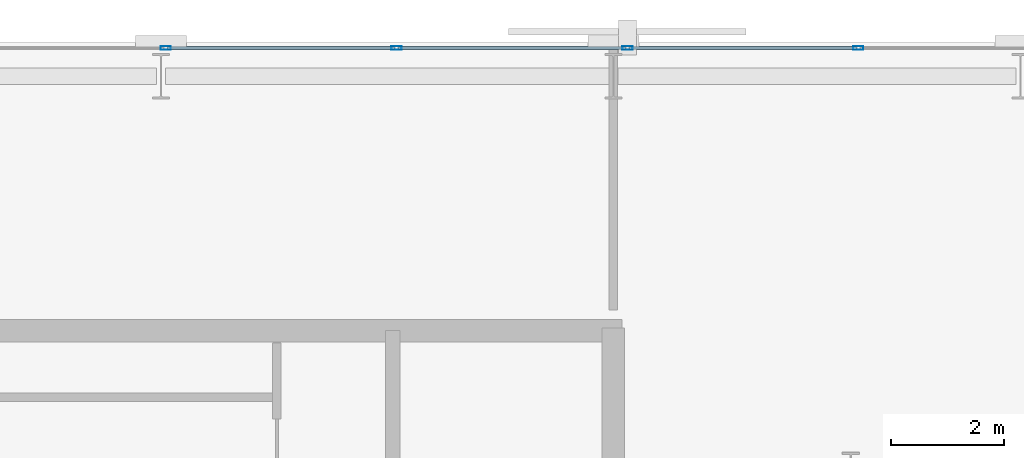
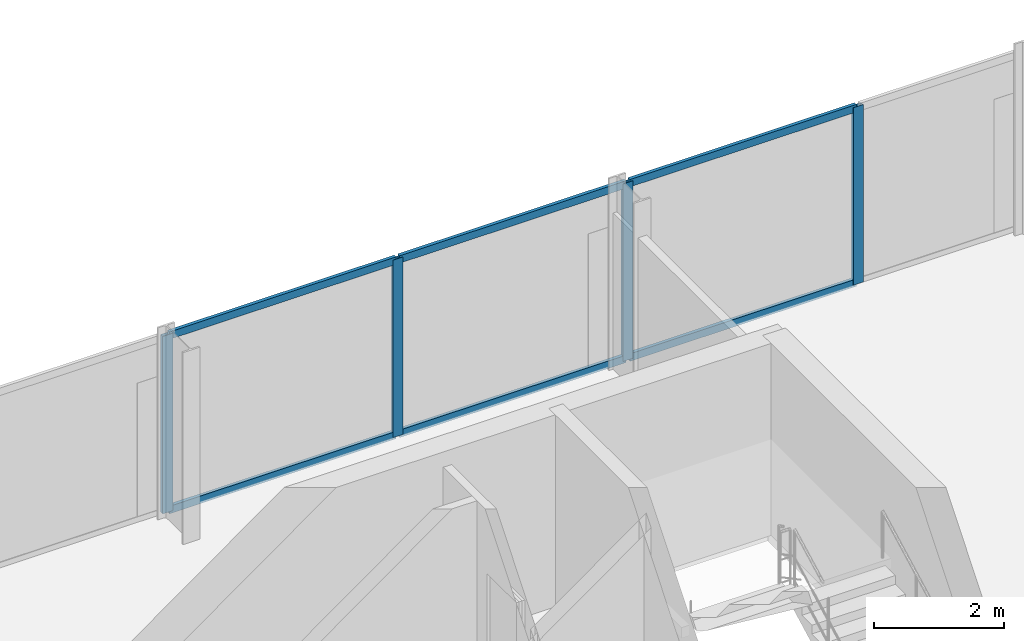
# One storey, part 25 of 32: 10 members, 1 element without a shape of its own.
"""IFC4 building model written with IfcOpenShell, lengths in metres."""

from ifc_helpers import new_model, si_unit, direction, frame, origin, origin_2d, place, context, subcontext, project, spatial, hollow_rectangle, extrude, material, layer, layer_set, material_profile, profile_set, type_object, element, aggregate, save


model = new_model("IFC4")

# Units and contexts
model_context = context("Model", 3, precision=1e-05, world=origin(), true_north=direction((0.0, 1.0)))
body_context = subcontext(model_context, "Body", "Model", "MODEL_VIEW")
ifc_project = project(units=[si_unit("LENGTHUNIT", "METRE"), si_unit("AREAUNIT", "SQUARE_METRE"), si_unit("VOLUMEUNIT", "CUBIC_METRE"), si_unit("PLANEANGLEUNIT", "RADIAN"), si_unit("MASSUNIT", "GRAM", prefix="KILO")], contexts=[model_context])

# Site, building, storey
site_placement = place(None, origin())
site = spatial("IfcSite", under=ifc_project, at=site_placement, CompositionType="ELEMENT")
building_placement = place(site_placement, origin())
building = spatial("IfcBuilding", under=site, at=building_placement, Name="Catumbela Crestline Tower", CompositionType="ELEMENT")
storey_placement = place(building_placement, frame((0.0, 0.0, 61.8)))
storey = spatial("IfcBuildingStorey", under=building, at=storey_placement, Name="L15", CompositionType="ELEMENT", Elevation=61.8)

# Curtain wall, members
ifc_material = material(Name="Aluminium alloy AW-6060-T66", Category="aluminium")
ifc_layer = layer(ifc_material, 0.18, Name="Aluminium alloy AW-6060-T66")
ifc_layer_set = layer_set([ifc_layer], Name="Aluminium alloy AW-6060-T66")
curtain_wall_type = type_object("IfcCurtainWallType", Name="CWU-Z1", PredefinedType="USERDEFINED", material=ifc_layer_set)
curtain_wall_placement = place(storey_placement, origin())
curtain_wall = element("IfcCurtainWall", 1, at=curtain_wall_placement, inside=storey, type_object=curtain_wall_type, Name="L15 Unitised Curtain Wall CW-L15-E7S1", ObjectType="UNITISED", PredefinedType="USERDEFINED")
ifc_material_profile_1 = material_profile(ifc_material, hollow_rectangle(XDim=0.065, YDim=0.18, WallThickness=0.004, at=origin_2d()), Name="ALU 180x65x4")
ifc_profile_set_1 = profile_set([ifc_material_profile_1], Name="Aluminium alloy AW-6060-T66")
member_type_1 = type_object("IfcMemberType", Name="MUL-180X65", PredefinedType="MULLION", material=ifc_profile_set_1)
member_1_placement = place(storey_placement, frame((44.3333, 47.9, 0.0), z_axis=(0.0, 0.0, 1.0), x_axis=(0.0, -1.0, 0.0)))
member_1 = element("IfcMember", 2, at=member_1_placement, type_object=member_type_1, Name="CWU-Z1 mullion 3", PredefinedType="MULLION", context=body_context, shape_type="SweptSolid", body=[
    extrude(hollow_rectangle(XDim=0.065, YDim=0.18, WallThickness=0.004, at=origin_2d()), origin(), (0.0, 0.0, 1.0), 3.33),
])
member_2_placement = place(storey_placement, frame((40.25, 47.9, 0.0), z_axis=(0.0, 0.0, 1.0), x_axis=(0.0, -1.0, 0.0)))
member_2 = element("IfcMember", 3, at=member_2_placement, type_object=member_type_1, Name="CWU-Z1 mullion 4", PredefinedType="MULLION", context=body_context, shape_type="SweptSolid", body=[
    extrude(hollow_rectangle(XDim=0.065, YDim=0.18, WallThickness=0.004, at=origin_2d()), origin(), (0.0, 0.0, 1.0), 3.33),
])
member_3_placement = place(storey_placement, frame((36.1667, 47.9, 0.0), z_axis=(0.0, 0.0, 1.0), x_axis=(0.0, -1.0, 0.0)))
member_3 = element("IfcMember", 4, at=member_3_placement, type_object=member_type_1, Name="CWU-Z1 mullion 5", PredefinedType="MULLION", context=body_context, shape_type="SweptSolid", body=[
    extrude(hollow_rectangle(XDim=0.065, YDim=0.18, WallThickness=0.004, at=origin_2d()), origin(), (0.0, 0.0, 1.0), 3.33),
])
member_4_placement = place(storey_placement, frame((32.0833, 47.9, 0.0), z_axis=(0.0, 0.0, 1.0), x_axis=(0.0, -1.0, 0.0)))
member_4 = element("IfcMember", 5, at=member_4_placement, type_object=member_type_1, Name="CWU-Z1 mullion 6", PredefinedType="MULLION", context=body_context, shape_type="SweptSolid", body=[
    extrude(hollow_rectangle(XDim=0.065, YDim=0.18, WallThickness=0.004, at=origin_2d()), origin(), (0.0, 0.0, 1.0), 3.33),
])
ifc_material_profile_2 = material_profile(ifc_material, hollow_rectangle(XDim=0.06, YDim=0.14, WallThickness=0.004, at=origin_2d()), Name="ALU 140x60x4")
ifc_profile_set_2 = profile_set([ifc_material_profile_2], Name="Aluminium alloy AW-6060-T66")
member_type_2 = type_object("IfcMemberType", Name="TRN-140X60", PredefinedType="USERDEFINED", material=ifc_profile_set_2)
member_5_placement = place(storey_placement, frame((44.3008, 47.9, 0.03), z_axis=(-1.0, 0.0, 0.0), x_axis=(0.0, -1.0, 0.0)))
member_5 = element("IfcMember", 6, at=member_5_placement, type_object=member_type_2, Name="CWU-Z1 transom 3.1", ObjectType="TRANSOM", PredefinedType="USERDEFINED", context=body_context, shape_type="SweptSolid", body=[
    extrude(hollow_rectangle(XDim=0.06, YDim=0.14, WallThickness=0.004, at=origin_2d()), origin(), (0.0, 0.0, 1.0), 4.0183),
])
member_6_placement = place(storey_placement, frame((44.3008, 47.9, 3.3), z_axis=(-1.0, 0.0, 0.0), x_axis=(0.0, -1.0, 0.0)))
member_6 = element("IfcMember", 7, at=member_6_placement, type_object=member_type_2, Name="CWU-Z1 transom 3.2", ObjectType="TRANSOM", PredefinedType="USERDEFINED", context=body_context, shape_type="SweptSolid", body=[
    extrude(hollow_rectangle(XDim=0.06, YDim=0.14, WallThickness=0.004, at=origin_2d()), origin(), (0.0, 0.0, 1.0), 4.0183),
])
member_7_placement = place(storey_placement, frame((40.2175, 47.9, 0.03), z_axis=(-1.0, 0.0, 0.0), x_axis=(0.0, -1.0, 0.0)))
member_7 = element("IfcMember", 8, at=member_7_placement, type_object=member_type_2, Name="CWU-Z1 transom 4.1", ObjectType="TRANSOM", PredefinedType="USERDEFINED", context=body_context, shape_type="SweptSolid", body=[
    extrude(hollow_rectangle(XDim=0.06, YDim=0.14, WallThickness=0.004, at=origin_2d()), origin(), (0.0, 0.0, 1.0), 4.0183),
])
member_8_placement = place(storey_placement, frame((40.2175, 47.9, 3.3), z_axis=(-1.0, 0.0, 0.0), x_axis=(0.0, -1.0, 0.0)))
member_8 = element("IfcMember", 9, at=member_8_placement, type_object=member_type_2, Name="CWU-Z1 transom 4.2", ObjectType="TRANSOM", PredefinedType="USERDEFINED", context=body_context, shape_type="SweptSolid", body=[
    extrude(hollow_rectangle(XDim=0.06, YDim=0.14, WallThickness=0.004, at=origin_2d()), origin(), (0.0, 0.0, 1.0), 4.0183),
])
member_9_placement = place(storey_placement, frame((36.1342, 47.9, 0.03), z_axis=(-1.0, 0.0, 0.0), x_axis=(0.0, -1.0, 0.0)))
member_9 = element("IfcMember", 10, at=member_9_placement, type_object=member_type_2, Name="CWU-Z1 transom 5.1", ObjectType="TRANSOM", PredefinedType="USERDEFINED", context=body_context, shape_type="SweptSolid", body=[
    extrude(hollow_rectangle(XDim=0.06, YDim=0.14, WallThickness=0.004, at=origin_2d()), origin(), (0.0, 0.0, 1.0), 4.0184),
])
member_10_placement = place(storey_placement, frame((36.1342, 47.9, 3.3), z_axis=(-1.0, 0.0, 0.0), x_axis=(0.0, -1.0, 0.0)))
member_10 = element("IfcMember", 11, at=member_10_placement, type_object=member_type_2, Name="CWU-Z1 transom 5.2", ObjectType="TRANSOM", PredefinedType="USERDEFINED", context=body_context, shape_type="SweptSolid", body=[
    extrude(hollow_rectangle(XDim=0.06, YDim=0.14, WallThickness=0.004, at=origin_2d()), origin(), (0.0, 0.0, 1.0), 4.0184),
])
aggregate(curtain_wall, [member_1, member_2, member_3, member_4, member_5, member_6, member_7, member_8, member_9, member_10])

save(model, "model.ifc")
